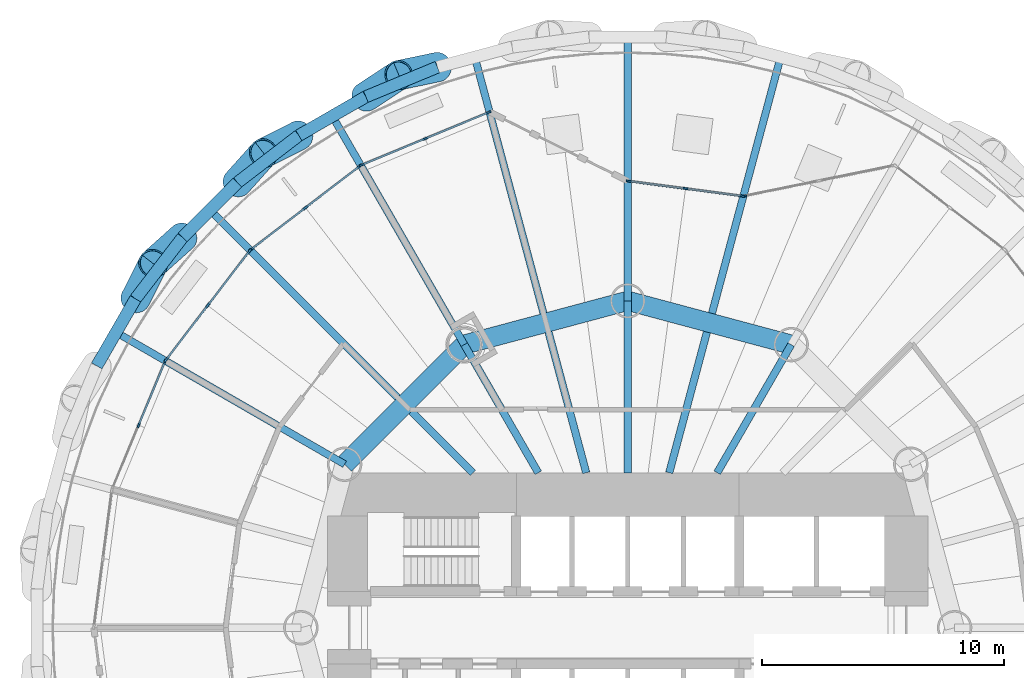
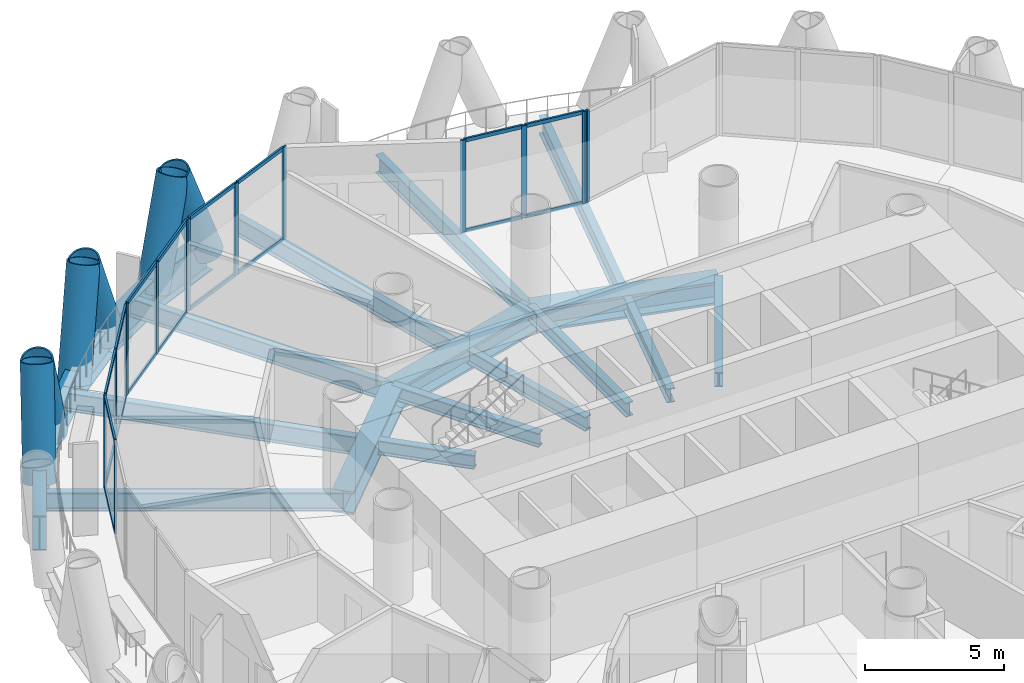
# One storey, part 6 of 16: 39 members, 21 beams, 6 elements without a shape of their own.
"""IFC4 building model written with IfcOpenShell, lengths in metres."""

from ifc_helpers import new_model, si_unit, direction, frame, origin, origin_2d, place, context, subcontext, project, spatial, rectangle, hollow_circle, i_section, extrude, material, material_profile, profile_set, type_object, element, aggregate, save


model = new_model("IFC4")

# Units and contexts
model_context = context("Model", 3, precision=1e-05, world=origin(), true_north=direction((0.0, 1.0)))
body_context = subcontext(model_context, "Body", "Model", "MODEL_VIEW")
ifc_project = project(units=[si_unit("LENGTHUNIT", "METRE"), si_unit("AREAUNIT", "SQUARE_METRE"), si_unit("VOLUMEUNIT", "CUBIC_METRE"), si_unit("PLANEANGLEUNIT", "RADIAN"), si_unit("MASSUNIT", "GRAM", prefix="KILO")], contexts=[model_context])

# Site, building, storey
site_placement = place(None, origin())
site = spatial("IfcSite", under=ifc_project, at=site_placement, CompositionType="ELEMENT")
building_placement = place(site_placement, origin())
building = spatial("IfcBuilding", under=site, at=building_placement, Name="Qaws Media Tower", CompositionType="ELEMENT")
storey_placement = place(building_placement, frame((0.0, 0.0, 47.0)))
storey = spatial("IfcBuildingStorey", under=building, at=storey_placement, Name="L09", CompositionType="ELEMENT", Elevation=47.0)

# Curtain wall, member
ifc_material_1 = material(Name="Aluminium and clear glass", Category="aluminium")
curtain_wall_type_1 = type_object("IfcCurtainWallType", Name="Loggia curtain wall CW-G", PredefinedType="NOTDEFINED", material=ifc_material_1)
curtain_wall_1_placement = place(storey_placement, origin())
curtain_wall_1 = element("IfcCurtainWall", 1, at=curtain_wall_1_placement, inside=storey, type_object=curtain_wall_type_1, Name="CWG curtain wall L09-05", PredefinedType="NOTDEFINED")
ifc_material_2 = material(Name="Aluminium mullion", Category="aluminium")
ifc_material_profile_1 = material_profile(ifc_material_2, rectangle(XDim=0.080078125, YDim=0.199951171875, at=origin_2d()), Name="80x200")
ifc_profile_set_1 = profile_set([ifc_material_profile_1], Name="Aluminium mullion")
member_type_1 = type_object("IfcMemberType", Name="Curtain wall mullion 80x200", PredefinedType="MULLION", material=ifc_profile_set_1)
member_1_placement = place(storey_placement, frame((64.814453125, 67.829345703125, 0.0), z_axis=(0.0, 0.0, 1.0), x_axis=(0.19981881012, -0.979832864892, 0.0)))
member_1 = element("IfcMember", 2, at=member_1_placement, type_object=member_type_1, Name="CWG mullion 3", PredefinedType="MULLION", context=body_context, shape_type="SweptSolid", body=[
    extrude(rectangle(XDim=0.080078125, YDim=0.199951171875, at=origin_2d()), origin(), (0.0, 0.0, 1.0), 4.0400390625),
])
aggregate(curtain_wall_1, [member_1])

# Curtain wall, members
curtain_wall_2_placement = place(storey_placement, origin())
curtain_wall_2 = element("IfcCurtainWall", 3, at=curtain_wall_2_placement, inside=storey, type_object=curtain_wall_type_1, Name="CWG curtain wall L09-06", PredefinedType="NOTDEFINED")
member_2_placement = place(storey_placement, frame((64.735595703125, 67.82666015625, 0.0), z_axis=(0.0, 0.0, 1.0), x_axis=(-0.130526303519, -0.991444846721, 0.0)))
member_2 = element("IfcMember", 4, at=member_2_placement, type_object=member_type_1, Name="CWG mullion 1", PredefinedType="MULLION", context=body_context, shape_type="SweptSolid", body=[
    extrude(rectangle(XDim=0.080078125, YDim=0.199951171875, at=origin_2d()), origin(), (0.0, 0.0, 1.0), 4.0400390625),
])
member_3_placement = place(storey_placement, frame((62.3876953125, 68.1357421875, 0.0), z_axis=(0.0, 0.0, 1.0), x_axis=(-0.130526303519, -0.991444846721, 0.0)))
member_3 = element("IfcMember", 5, at=member_3_placement, type_object=member_type_1, Name="CWG mullion 2", PredefinedType="MULLION", context=body_context, shape_type="SweptSolid", body=[
    extrude(rectangle(XDim=0.080078125, YDim=0.199951171875, at=origin_2d()), origin(), (0.0, 0.0, 1.0), 4.0400390625),
])
member_4_placement = place(storey_placement, frame((60.03955078125, 68.44482421875, 0.0), z_axis=(0.0, 0.0, 1.0), x_axis=(-0.130526303519, -0.991444846721, 0.0)))
member_4 = element("IfcMember", 6, at=member_4_placement, type_object=member_type_1, Name="CWG mullion 3", PredefinedType="MULLION", context=body_context, shape_type="SweptSolid", body=[
    extrude(rectangle(XDim=0.080078125, YDim=0.199951171875, at=origin_2d()), origin(), (0.0, 0.0, 1.0), 4.0400390625),
])

ifc_material_3 = material(Name="Aluminium and clear glass", Category="aluminium")
curtain_wall_type_2 = type_object("IfcCurtainWallType", Name="Unitised curtain wall CW-A", PredefinedType="NOTDEFINED", material=ifc_material_3)
curtain_wall_3_placement = place(storey_placement, origin())
curtain_wall_3 = element("IfcCurtainWall", 7, at=curtain_wall_3_placement, inside=storey, type_object=curtain_wall_type_2, Name="CWA curtain wall L09-08", PredefinedType="NOTDEFINED")
member_5_placement = place(storey_placement, frame((54.256103515625, 71.283447265625, 0.0), z_axis=(0.0, 0.0, 1.0), x_axis=(0.382683388877, -0.923879550525, 0.0)))
member_5 = element("IfcMember", 8, at=member_5_placement, type_object=member_type_1, Name="CWA mullion 1", PredefinedType="MULLION", context=body_context, shape_type="SweptSolid", body=[
    extrude(rectangle(XDim=0.080078125, YDim=0.199951171875, at=origin_2d()), origin(), (0.0, 0.0, 1.0), 4.0400390625),
])
member_6_placement = place(storey_placement, frame((51.634033203125, 70.197265625, 0.0), z_axis=(0.0, 0.0, 1.0), x_axis=(0.382683388877, -0.923879550525, 0.0)))
member_6 = element("IfcMember", 9, at=member_6_placement, type_object=member_type_1, Name="CWA mullion 2", PredefinedType="MULLION", context=body_context, shape_type="SweptSolid", body=[
    extrude(rectangle(XDim=0.080078125, YDim=0.199951171875, at=origin_2d()), origin(), (0.0, 0.0, 1.0), 4.0400390625),
])
member_7_placement = place(storey_placement, frame((49.011962890625, 69.111083984375, 0.0), z_axis=(0.0, 0.0, 1.0), x_axis=(0.382683388877, -0.923879550525, 0.0)))
member_7 = element("IfcMember", 10, at=member_7_placement, type_object=member_type_1, Name="CWA mullion 3", PredefinedType="MULLION", context=body_context, shape_type="SweptSolid", body=[
    extrude(rectangle(XDim=0.080078125, YDim=0.199951171875, at=origin_2d()), origin(), (0.0, 0.0, 1.0), 4.0400390625),
])

curtain_wall_4_placement = place(storey_placement, origin())
curtain_wall_4 = element("IfcCurtainWall", 11, at=curtain_wall_4_placement, inside=storey, type_object=curtain_wall_type_2, Name="CWA curtain wall L09-09", PredefinedType="NOTDEFINED")
member_8_placement = place(storey_placement, frame((48.943359375, 69.071533203125, 0.0), z_axis=(0.0, 0.0, 1.0), x_axis=(0.608761320465, -0.79335342358, 0.0)))
member_8 = element("IfcMember", 12, at=member_8_placement, type_object=member_type_1, Name="CWA mullion 1", PredefinedType="MULLION", context=body_context, shape_type="SweptSolid", body=[
    extrude(rectangle(XDim=0.080078125, YDim=0.199951171875, at=origin_2d()), origin(), (0.0, 0.0, 1.0), 4.0400390625),
])
member_9_placement = place(storey_placement, frame((46.691650390625, 67.34375, 0.0), z_axis=(0.0, 0.0, 1.0), x_axis=(0.608761320465, -0.79335342358, 0.0)))
member_9 = element("IfcMember", 13, at=member_9_placement, type_object=member_type_1, Name="CWA mullion 2", PredefinedType="MULLION", context=body_context, shape_type="SweptSolid", body=[
    extrude(rectangle(XDim=0.080078125, YDim=0.199951171875, at=origin_2d()), origin(), (0.0, 0.0, 1.0), 4.0400390625),
])
member_10_placement = place(storey_placement, frame((44.43994140625, 65.615966796875, 0.0), z_axis=(0.0, 0.0, 1.0), x_axis=(0.608761320465, -0.79335342358, 0.0)))
member_10 = element("IfcMember", 14, at=member_10_placement, type_object=member_type_1, Name="CWA mullion 3", PredefinedType="MULLION", context=body_context, shape_type="SweptSolid", body=[
    extrude(rectangle(XDim=0.080078125, YDim=0.199951171875, at=origin_2d()), origin(), (0.0, 0.0, 1.0), 4.0400390625),
])

curtain_wall_5_placement = place(storey_placement, origin())
curtain_wall_5 = element("IfcCurtainWall", 15, at=curtain_wall_5_placement, inside=storey, type_object=curtain_wall_type_2, Name="CWA curtain wall L09-10", PredefinedType="NOTDEFINED")
member_11_placement = place(storey_placement, frame((44.384033203125, 65.56005859375, 0.0), z_axis=(0.0, 0.0, 1.0), x_axis=(0.79335342358, -0.608761320465, 0.0)))
member_11 = element("IfcMember", 16, at=member_11_placement, type_object=member_type_1, Name="CWA mullion 1", PredefinedType="MULLION", context=body_context, shape_type="SweptSolid", body=[
    extrude(rectangle(XDim=0.080078125, YDim=0.199951171875, at=origin_2d()), origin(), (0.0, 0.0, 1.0), 4.0400390625),
])
member_12_placement = place(storey_placement, frame((42.65625, 63.308349609375, 0.0), z_axis=(0.0, 0.0, 1.0), x_axis=(0.79335342358, -0.608761320465, 0.0)))
member_12 = element("IfcMember", 17, at=member_12_placement, type_object=member_type_1, Name="CWA mullion 2", PredefinedType="MULLION", context=body_context, shape_type="SweptSolid", body=[
    extrude(rectangle(XDim=0.080078125, YDim=0.199951171875, at=origin_2d()), origin(), (0.0, 0.0, 1.0), 4.0400390625),
])
member_13_placement = place(storey_placement, frame((40.928466796875, 61.056640625, 0.0), z_axis=(0.0, 0.0, 1.0), x_axis=(0.79335342358, -0.608761320465, 0.0)))
member_13 = element("IfcMember", 18, at=member_13_placement, type_object=member_type_1, Name="CWA mullion 3", PredefinedType="MULLION", context=body_context, shape_type="SweptSolid", body=[
    extrude(rectangle(XDim=0.080078125, YDim=0.199951171875, at=origin_2d()), origin(), (0.0, 0.0, 1.0), 4.0400390625),
])

curtain_wall_6_placement = place(storey_placement, origin())
curtain_wall_6 = element("IfcCurtainWall", 19, at=curtain_wall_6_placement, inside=storey, type_object=curtain_wall_type_2, Name="CWA curtain wall L09-11", PredefinedType="NOTDEFINED")
member_14_placement = place(storey_placement, frame((40.888916015625, 60.988037109375, 0.0), z_axis=(0.0, 0.0, 1.0), x_axis=(0.923879550525, -0.382683388877, 0.0)))
member_14 = element("IfcMember", 20, at=member_14_placement, type_object=member_type_1, Name="CWA mullion 1", PredefinedType="MULLION", context=body_context, shape_type="SweptSolid", body=[
    extrude(rectangle(XDim=0.080078125, YDim=0.199951171875, at=origin_2d()), origin(), (0.0, 0.0, 1.0), 4.0400390625),
])
member_15_placement = place(storey_placement, frame((39.802734375, 58.365966796875, 0.0), z_axis=(0.0, 0.0, 1.0), x_axis=(0.923879550525, -0.382683388877, 0.0)))
member_15 = element("IfcMember", 21, at=member_15_placement, type_object=member_type_1, Name="CWA mullion 2", PredefinedType="MULLION", context=body_context, shape_type="SweptSolid", body=[
    extrude(rectangle(XDim=0.080078125, YDim=0.199951171875, at=origin_2d()), origin(), (0.0, 0.0, 1.0), 4.0400390625),
])

# Member
ifc_material_4 = material(Name="Aluminium transom", Category="aluminium")
ifc_material_profile_2 = material_profile(ifc_material_4, rectangle(XDim=0.080078125, YDim=0.159912109375, at=origin_2d()), Name="80x160")
ifc_profile_set_2 = profile_set([ifc_material_profile_2], Name="Aluminium transom")
member_type_2 = type_object("IfcMemberType", Name="Curtain wall transom 80x160", PredefinedType="USERDEFINED", material=ifc_profile_set_2)
member_16_placement = place(storey_placement, frame((64.69580078125, 67.831787109375, 0.0400390625), z_axis=(-0.991449210415, 0.130493153717, 0.0), x_axis=(-0.130493153717, -0.991449210415, 0.0)))
member_16 = element("IfcMember", 22, at=member_16_placement, type_object=member_type_2, Name="CWG transom 1.1", ObjectType="TRANSOM", PredefinedType="USERDEFINED", context=body_context, shape_type="SweptSolid", body=[
    extrude(rectangle(XDim=0.080078125, YDim=0.159912109375, at=origin_2d()), origin(), (0.0, 0.0, 1.0), 2.2880859375),
])

member_17_placement = place(storey_placement, frame((64.69580078125, 67.831787109375, 4.0), z_axis=(-0.991449210415, 0.130493153717, 0.0), x_axis=(-0.130493153717, -0.991449210415, 0.0)))
member_17 = element("IfcMember", 23, at=member_17_placement, type_object=member_type_2, Name="CWG transom 1.2", ObjectType="TRANSOM", PredefinedType="USERDEFINED", context=body_context, shape_type="SweptSolid", body=[
    extrude(rectangle(XDim=0.080078125, YDim=0.159912109375, at=origin_2d()), origin(), (0.0, 0.0, 1.0), 2.2880859375),
])

member_18_placement = place(storey_placement, frame((62.347900390625, 68.140869140625, 0.0400390625), z_axis=(-0.991449210415, 0.130493153717, 0.0), x_axis=(-0.130493153717, -0.991449210415, 0.0)))
member_18 = element("IfcMember", 24, at=member_18_placement, type_object=member_type_2, Name="CWG transom 2.1", ObjectType="TRANSOM", PredefinedType="USERDEFINED", context=body_context, shape_type="SweptSolid", body=[
    extrude(rectangle(XDim=0.080078125, YDim=0.159912109375, at=origin_2d()), origin(), (0.0, 0.0, 1.0), 2.2880859375),
])

member_19_placement = place(storey_placement, frame((62.347900390625, 68.140869140625, 4.0), z_axis=(-0.991449210415, 0.130493153717, 0.0), x_axis=(-0.130493153717, -0.991449210415, 0.0)))
member_19 = element("IfcMember", 25, at=member_19_placement, type_object=member_type_2, Name="CWG transom 2.2", ObjectType="TRANSOM", PredefinedType="USERDEFINED", context=body_context, shape_type="SweptSolid", body=[
    extrude(rectangle(XDim=0.080078125, YDim=0.159912109375, at=origin_2d()), origin(), (0.0, 0.0, 1.0), 2.2880859375),
])

aggregate(curtain_wall_2, [member_2, member_3, member_4, member_16, member_17, member_18, member_19])

member_20_placement = place(storey_placement, frame((54.21923828125, 71.26806640625, 0.0400390625), z_axis=(-0.923897092616, -0.382641035771, 0.0), x_axis=(0.382641035771, -0.923897092616, 0.0)))
member_20 = element("IfcMember", 26, at=member_20_placement, type_object=member_type_2, Name="CWA transom 1.1", ObjectType="TRANSOM", PredefinedType="USERDEFINED", context=body_context, shape_type="SweptSolid", body=[
    extrude(rectangle(XDim=0.080078125, YDim=0.159912109375, at=origin_2d()), origin(), (0.0, 0.0, 1.0), 2.75830078125),
])

member_21_placement = place(storey_placement, frame((54.21923828125, 71.26806640625, 4.0), z_axis=(-0.923897092616, -0.382641035771, 0.0), x_axis=(0.382641035771, -0.923897092616, 0.0)))
member_21 = element("IfcMember", 27, at=member_21_placement, type_object=member_type_2, Name="CWA transom 1.2", ObjectType="TRANSOM", PredefinedType="USERDEFINED", context=body_context, shape_type="SweptSolid", body=[
    extrude(rectangle(XDim=0.080078125, YDim=0.159912109375, at=origin_2d()), origin(), (0.0, 0.0, 1.0), 2.75830078125),
])

member_22_placement = place(storey_placement, frame((51.59716796875, 70.181884765625, 0.0400390625), z_axis=(-0.923897092616, -0.382641035771, 0.0), x_axis=(0.382641035771, -0.923897092616, 0.0)))
member_22 = element("IfcMember", 28, at=member_22_placement, type_object=member_type_2, Name="CWA transom 2.1", ObjectType="TRANSOM", PredefinedType="USERDEFINED", context=body_context, shape_type="SweptSolid", body=[
    extrude(rectangle(XDim=0.080078125, YDim=0.159912109375, at=origin_2d()), origin(), (0.0, 0.0, 1.0), 2.75830078125),
])

member_23_placement = place(storey_placement, frame((51.59716796875, 70.181884765625, 4.0), z_axis=(-0.923897092616, -0.382641035771, 0.0), x_axis=(0.382641035771, -0.923897092616, 0.0)))
member_23 = element("IfcMember", 29, at=member_23_placement, type_object=member_type_2, Name="CWA transom 2.2", ObjectType="TRANSOM", PredefinedType="USERDEFINED", context=body_context, shape_type="SweptSolid", body=[
    extrude(rectangle(XDim=0.080078125, YDim=0.159912109375, at=origin_2d()), origin(), (0.0, 0.0, 1.0), 2.75830078125),
])

aggregate(curtain_wall_3, [member_5, member_6, member_7, member_20, member_21, member_22, member_23])

member_24_placement = place(storey_placement, frame((48.91162109375, 69.047119140625, 0.0400390625), z_axis=(-0.793376929066, -0.608730686286, 0.0), x_axis=(0.608730686286, -0.793376929066, 0.0)))
member_24 = element("IfcMember", 30, at=member_24_placement, type_object=member_type_2, Name="CWA transom 1.1", ObjectType="TRANSOM", PredefinedType="USERDEFINED", context=body_context, shape_type="SweptSolid", body=[
    extrude(rectangle(XDim=0.080078125, YDim=0.159912109375, at=origin_2d()), origin(), (0.0, 0.0, 1.0), 2.758056640625),
])

member_25_placement = place(storey_placement, frame((48.91162109375, 69.047119140625, 4.0), z_axis=(-0.793376929066, -0.608730686286, 0.0), x_axis=(0.608730686286, -0.793376929066, 0.0)))
member_25 = element("IfcMember", 31, at=member_25_placement, type_object=member_type_2, Name="CWA transom 1.2", ObjectType="TRANSOM", PredefinedType="USERDEFINED", context=body_context, shape_type="SweptSolid", body=[
    extrude(rectangle(XDim=0.080078125, YDim=0.159912109375, at=origin_2d()), origin(), (0.0, 0.0, 1.0), 2.758056640625),
])

member_26_placement = place(storey_placement, frame((46.659912109375, 67.3193359375, 0.0400390625), z_axis=(-0.793376929066, -0.608730686286, 0.0), x_axis=(0.608730686286, -0.793376929066, 0.0)))
member_26 = element("IfcMember", 32, at=member_26_placement, type_object=member_type_2, Name="CWA transom 2.1", ObjectType="TRANSOM", PredefinedType="USERDEFINED", context=body_context, shape_type="SweptSolid", body=[
    extrude(rectangle(XDim=0.080078125, YDim=0.159912109375, at=origin_2d()), origin(), (0.0, 0.0, 1.0), 2.758056640625),
])

member_27_placement = place(storey_placement, frame((46.659912109375, 67.3193359375, 4.0), z_axis=(-0.793376929066, -0.608730686286, 0.0), x_axis=(0.608730686286, -0.793376929066, 0.0)))
member_27 = element("IfcMember", 33, at=member_27_placement, type_object=member_type_2, Name="CWA transom 2.2", ObjectType="TRANSOM", PredefinedType="USERDEFINED", context=body_context, shape_type="SweptSolid", body=[
    extrude(rectangle(XDim=0.080078125, YDim=0.159912109375, at=origin_2d()), origin(), (0.0, 0.0, 1.0), 2.758056640625),
])

aggregate(curtain_wall_4, [member_8, member_9, member_10, member_24, member_25, member_26, member_27])

member_28_placement = place(storey_placement, frame((44.359619140625, 65.5283203125, 0.0400390625), z_axis=(-0.608730686286, -0.793376929066, 0.0), x_axis=(0.793376929066, -0.608730686286, 0.0)))
member_28 = element("IfcMember", 34, at=member_28_placement, type_object=member_type_2, Name="CWA transom 1.1", ObjectType="TRANSOM", PredefinedType="USERDEFINED", context=body_context, shape_type="SweptSolid", body=[
    extrude(rectangle(XDim=0.080078125, YDim=0.159912109375, at=origin_2d()), origin(), (0.0, 0.0, 1.0), 2.758056640625),
])

member_29_placement = place(storey_placement, frame((44.359619140625, 65.5283203125, 4.0), z_axis=(-0.608730686286, -0.793376929066, 0.0), x_axis=(0.793376929066, -0.608730686286, 0.0)))
member_29 = element("IfcMember", 35, at=member_29_placement, type_object=member_type_2, Name="CWA transom 1.2", ObjectType="TRANSOM", PredefinedType="USERDEFINED", context=body_context, shape_type="SweptSolid", body=[
    extrude(rectangle(XDim=0.080078125, YDim=0.159912109375, at=origin_2d()), origin(), (0.0, 0.0, 1.0), 2.758056640625),
])

member_30_placement = place(storey_placement, frame((42.6318359375, 63.276611328125, 0.0400390625), z_axis=(-0.608730686286, -0.793376929066, 0.0), x_axis=(0.793376929066, -0.608730686286, 0.0)))
member_30 = element("IfcMember", 36, at=member_30_placement, type_object=member_type_2, Name="CWA transom 2.1", ObjectType="TRANSOM", PredefinedType="USERDEFINED", context=body_context, shape_type="SweptSolid", body=[
    extrude(rectangle(XDim=0.080078125, YDim=0.159912109375, at=origin_2d()), origin(), (0.0, 0.0, 1.0), 2.758056640625),
])

member_31_placement = place(storey_placement, frame((42.6318359375, 63.276611328125, 4.0), z_axis=(-0.608730686286, -0.793376929066, 0.0), x_axis=(0.793376929066, -0.608730686286, 0.0)))
member_31 = element("IfcMember", 37, at=member_31_placement, type_object=member_type_2, Name="CWA transom 2.2", ObjectType="TRANSOM", PredefinedType="USERDEFINED", context=body_context, shape_type="SweptSolid", body=[
    extrude(rectangle(XDim=0.080078125, YDim=0.159912109375, at=origin_2d()), origin(), (0.0, 0.0, 1.0), 2.758056640625),
])

aggregate(curtain_wall_5, [member_11, member_12, member_13, member_28, member_29, member_30, member_31])

member_32_placement = place(storey_placement, frame((40.87353515625, 60.951171875, 0.0400390625), z_axis=(-0.382641035771, -0.923897092616, 0.0), x_axis=(0.923897092616, -0.382641035771, 0.0)))
member_32 = element("IfcMember", 38, at=member_32_placement, type_object=member_type_2, Name="CWA transom 1.1", ObjectType="TRANSOM", PredefinedType="USERDEFINED", context=body_context, shape_type="SweptSolid", body=[
    extrude(rectangle(XDim=0.080078125, YDim=0.159912109375, at=origin_2d()), origin(), (0.0, 0.0, 1.0), 2.75830078125),
])

member_33_placement = place(storey_placement, frame((40.87353515625, 60.951171875, 4.0), z_axis=(-0.382641035771, -0.923897092616, 0.0), x_axis=(0.923897092616, -0.382641035771, 0.0)))
member_33 = element("IfcMember", 39, at=member_33_placement, type_object=member_type_2, Name="CWA transom 1.2", ObjectType="TRANSOM", PredefinedType="USERDEFINED", context=body_context, shape_type="SweptSolid", body=[
    extrude(rectangle(XDim=0.080078125, YDim=0.159912109375, at=origin_2d()), origin(), (0.0, 0.0, 1.0), 2.75830078125),
])

aggregate(curtain_wall_6, [member_14, member_15, member_32, member_33])

# Members
ifc_material_5 = material(Name="Steel S460", Category="steel")
ifc_material_profile_3 = material_profile(ifc_material_5, hollow_circle(Radius=0.609619140625, WallThickness=0.06005859375, at=origin_2d()), Name="CHS 1219x60")
ifc_profile_set_3 = profile_set([ifc_material_profile_3], Name="Steel S460")
member_type_3 = type_object("IfcMemberType", Name="Diagrid member CHS 1219x60", PredefinedType="USERDEFINED", material=ifc_profile_set_3)
member_34_placement = place(storey_placement, frame((52.140869140625, 73.15234375, -0.909912109375), z_axis=(-0.353720827329, -0.073822826666, 0.932433250467), x_axis=(0.204301665065, -0.978907978133, 0.0)))
element("IfcMember", 40, at=member_34_placement, inside=storey, type_object=member_type_3, Name="DG1 diagrid L09 A08", ObjectType="DIAGRID", PredefinedType="USERDEFINED", context=body_context, shape_type="SweptSolid", body=[
    extrude(hollow_circle(Radius=0.609619140625, WallThickness=0.06005859375, at=origin_2d()), origin(), (0.0, 0.0, 1.0), 4.50439453125),
])
for number, where, z_axis, x_axis, name in (
    (41, (46.416259765625, 70.329345703125, -0.909912109375), (-0.322508751373, -0.16282626708, 0.932456815105), (0.450690911272, -0.892680067267, 0.0), "DG1 diagrid L09 A09"),
    (42, (49.18603515625, 71.928466796875, -0.909912109375), (0.3022882165, 0.197893899666, 0.932448303468), (-0.547722187695, 0.836660268632, 0.0), "DG1 diagrid L09 B09"),
):
    element("IfcMember", number, at=place(storey_placement, frame(where, z_axis=z_axis, x_axis=x_axis)), inside=storey, type_object=member_type_3, Name=name, ObjectType="DIAGRID", PredefinedType="USERDEFINED", context=body_context, shape_type="SweptSolid", body=[
        extrude(hollow_circle(Radius=0.609619140625, WallThickness=0.06005859375, at=origin_2d()), origin(), (0.0, 0.0, 1.0), 4.504150390625),
    ])
for number, where, z_axis, x_axis, name in (
    (43, (41.617431640625, 66.12109375, -0.909912109375), (-0.269383872368, -0.240819425539, 0.9324367719), (0.666474709175, -0.745527640018, 0.0), "DG1 diagrid L09 A10"),
    (44, (43.87890625, 68.382568359375, -0.909912109375), (0.240819425539, 0.269383872368, 0.9324367719), (-0.745527640018, 0.666474709175, 0.0), "DG1 diagrid L09 B10"),
):
    element("IfcMember", number, at=place(storey_placement, frame(where, z_axis=z_axis, x_axis=x_axis)), inside=storey, type_object=member_type_3, Name=name, ObjectType="DIAGRID", PredefinedType="USERDEFINED", context=body_context, shape_type="SweptSolid", body=[
        extrude(hollow_circle(Radius=0.609619140625, WallThickness=0.06005859375, at=origin_2d()), origin(), (0.0, 0.0, 1.0), 4.50439453125),
    ])
member_35_placement = place(storey_placement, frame((39.670654296875, 63.583740234375, -0.909912109375), z_axis=(0.16282626708, 0.322508751373, 0.932456815105), x_axis=(-0.892680067267, 0.450690911272, 0.0)))
element("IfcMember", 45, at=member_35_placement, inside=storey, type_object=member_type_3, Name="DG1 diagrid L09 B11", ObjectType="DIAGRID", PredefinedType="USERDEFINED", context=body_context, shape_type="SweptSolid", body=[
    extrude(hollow_circle(Radius=0.609619140625, WallThickness=0.06005859375, at=origin_2d()), origin(), (0.0, 0.0, 1.0), 4.504150390625),
])

# Beams
ifc_material_6 = material(Name="Steel S460", Category="steel")
ifc_material_profile_4 = material_profile(ifc_material_6, i_section(OverallWidth=0.5, OverallDepth=1.5, WebThickness=0.02001953125, FlangeThickness=0.0400390625, at=origin_2d()), Name="PG 1500x500")
ifc_profile_set_4 = profile_set([ifc_material_profile_4], Name="Steel S460")
beam_type_1 = type_object("IfcBeamType", Name="Edge ring beam PG 1500x500", PredefinedType="BEAM", material=ifc_profile_set_4)
for number, where, z_axis, x_axis, name in (
    (46, (52.140869140625, 73.15234375, -0.909912109375), (-0.923885651932, -0.382668658443, 0.0), (0.382668658443, -0.923885651932, 0.0), "RB4 edge ring beam L09-15"),
    (47, (49.18603515625, 71.928466796875, -0.909912109375), (-0.866026686418, -0.499997778408, 0.0), (0.499997778408, -0.866026686418, 0.0), "RB4 edge ring beam L09-16"),
    (48, (46.416259765625, 70.329345703125, -0.909912109375), (-0.793383917565, -0.608721577857, 0.0), (0.608721577857, -0.793383917565, 0.0), "RB4 edge ring beam L09-17"),
    (49, (43.87890625, 68.382568359375, -0.909912109375), (-0.707106781187, -0.707106781187, 0.0), (0.707106781187, -0.707106781187, 0.0), "RB4 edge ring beam L09-18"),
    (50, (41.617431640625, 66.12109375, -0.909912109375), (-0.608721577857, -0.793383917565, 0.0), (0.793383917565, -0.608721577857, 0.0), "RB4 edge ring beam L09-19"),
    (51, (39.670654296875, 63.583740234375, -0.909912109375), (-0.499997778408, -0.866026686418, 0.0), (0.866026686418, -0.499997778408, 0.0), "RB4 edge ring beam L09-20"),
):
    element("IfcBeam", number, at=place(storey_placement, frame(where, z_axis=z_axis, x_axis=x_axis)), inside=storey, type_object=beam_type_1, Name=name, PredefinedType="BEAM", context=body_context, shape_type="SweptSolid", body=[
        extrude(i_section(OverallWidth=0.5, OverallDepth=1.5, WebThickness=0.02001953125, FlangeThickness=0.0400390625, at=origin_2d()), origin(), (0.0, 0.0, 1.0), 3.1982421875),
    ])
ifc_material_7 = material(Name="Steel S460", Category="steel")
ifc_material_profile_5 = material_profile(ifc_material_7, i_section(OverallWidth=0.800048828125, OverallDepth=1.0, WebThickness=0.0400390625, FlangeThickness=0.10009765625, at=origin_2d()), Name="PG 1000x800")
ifc_profile_set_5 = profile_set([ifc_material_profile_5], Name="Steel S460")
beam_type_2 = type_object("IfcBeamType", Name="Inner ring girder PG 1000x800", PredefinedType="BEAM", material=ifc_profile_set_5)
for number, where, z_axis, x_axis, name in (
    (52, (66.75, 61.69140625, -0.659912109375), (-0.965928090778, 0.258810593767, 0.0), (-0.258810593767, -0.965928090778, 0.0), "B3 inner ring beam L09 I03-I04"),
    (53, (60.0, 63.5, -0.659912109375), (-0.965928090778, -0.258810593767, 0.0), (0.258810593767, -0.965928090778, 0.0), "B3 inner ring beam L09 I04-I05"),
):
    element("IfcBeam", number, at=place(storey_placement, frame(where, z_axis=z_axis, x_axis=x_axis)), inside=storey, type_object=beam_type_2, Name=name, PredefinedType="BEAM", context=body_context, shape_type="SweptSolid", body=[
        extrude(i_section(OverallWidth=0.800048828125, OverallDepth=1.0, WebThickness=0.0400390625, FlangeThickness=0.10009765625, at=origin_2d()), origin(), (0.0, 0.0, 1.0), 6.988037109375),
    ])
beam_1_placement = place(storey_placement, frame((53.25, 61.69140625, -0.659912109375), z_axis=(-0.707106781187, -0.707106781187, 0.0), x_axis=(0.707106781187, -0.707106781187, 0.0)))
element("IfcBeam", 54, at=beam_1_placement, inside=storey, type_object=beam_type_2, Name="B3 inner ring beam L09 I05-I06", PredefinedType="BEAM", context=body_context, shape_type="SweptSolid", body=[
    extrude(i_section(OverallWidth=0.800048828125, OverallDepth=1.0, WebThickness=0.0400390625, FlangeThickness=0.10009765625, at=origin_2d()), origin(), (0.0, 0.0, 1.0), 6.98828125),
])
ifc_material_8 = material(Name="Steel S355", Category="steel")
ifc_material_profile_6 = material_profile(ifc_material_8, i_section(OverallWidth=0.304931640625, OverallDepth=0.6201171875, WebThickness=0.02099609375, FlangeThickness=0.0400390625, FilletRadius=0.027099609375, at=origin_2d()), Name="HE 600 M")
ifc_profile_set_6 = profile_set([ifc_material_profile_6], Name="Steel S355")
beam_type_3 = type_object("IfcBeamType", Name="Radial beam HE 600 M, core side", PredefinedType="BEAM", material=ifc_profile_set_6)
beam_2_placement = place(storey_placement, frame((63.695068359375, 56.39990234375, -0.469970703125), z_axis=(0.49998532359, 0.866033877048, 0.0), x_axis=(-0.866033877048, 0.49998532359, 0.0)))
element("IfcBeam", 55, at=beam_2_placement, inside=storey, type_object=beam_type_3, Name="B2 radial beam L09 05", PredefinedType="BEAM", context=body_context, shape_type="SweptSolid", body=[
    extrude(i_section(OverallWidth=0.304931640625, OverallDepth=0.6201171875, WebThickness=0.02099609375, FlangeThickness=0.0400390625, FilletRadius=0.027099609375, at=origin_2d()), origin(), (0.0, 0.0, 1.0), 6.110107421875),
])
beam_3_placement = place(storey_placement, frame((61.71484375, 56.39990234375, -0.469970703125), z_axis=(0.258824687089, 0.965924314506, 0.0), x_axis=(-0.965924314506, 0.258824687089, 0.0)))
element("IfcBeam", 56, at=beam_3_placement, inside=storey, type_object=beam_type_3, Name="B2 radial beam L09 06", PredefinedType="BEAM", context=body_context, shape_type="SweptSolid", body=[
    extrude(i_section(OverallWidth=0.304931640625, OverallDepth=0.6201171875, WebThickness=0.02099609375, FlangeThickness=0.0400390625, FilletRadius=0.027099609375, at=origin_2d()), origin(), (0.0, 0.0, 1.0), 6.01416015625),
])
beam_4_placement = place(storey_placement, frame((60.0, 56.39990234375, -0.469970703125), z_axis=(0.0, 1.0, 0.0), x_axis=(-1.0, 0.0, 0.0)))
element("IfcBeam", 57, at=beam_4_placement, inside=storey, type_object=beam_type_3, Name="B2 radial beam L09 07", PredefinedType="BEAM", context=body_context, shape_type="SweptSolid", body=[
    extrude(i_section(OverallWidth=0.304931640625, OverallDepth=0.6201171875, WebThickness=0.02099609375, FlangeThickness=0.0400390625, FilletRadius=0.027099609375, at=origin_2d()), origin(), (0.0, 0.0, 1.0), 7.10009765625),
])
beam_5_placement = place(storey_placement, frame((58.28515625, 56.39990234375, -0.469970703125), z_axis=(-0.258824687089, 0.965924314506, 0.0), x_axis=(-0.965924314506, -0.258824687089, 0.0)))
element("IfcBeam", 58, at=beam_5_placement, inside=storey, type_object=beam_type_3, Name="B2 radial beam L09 08", PredefinedType="BEAM", context=body_context, shape_type="SweptSolid", body=[
    extrude(i_section(OverallWidth=0.304931640625, OverallDepth=0.6201171875, WebThickness=0.02099609375, FlangeThickness=0.0400390625, FilletRadius=0.027099609375, at=origin_2d()), origin(), (0.0, 0.0, 1.0), 6.01416015625),
])
beam_6_placement = place(storey_placement, frame((56.304931640625, 56.39990234375, -0.469970703125), z_axis=(-0.49998532359, 0.866033877048, 0.0), x_axis=(-0.866033877048, -0.49998532359, 0.0)))
element("IfcBeam", 59, at=beam_6_placement, inside=storey, type_object=beam_type_3, Name="B2 radial beam L09 09", PredefinedType="BEAM", context=body_context, shape_type="SweptSolid", body=[
    extrude(i_section(OverallWidth=0.304931640625, OverallDepth=0.6201171875, WebThickness=0.02099609375, FlangeThickness=0.0400390625, FilletRadius=0.027099609375, at=origin_2d()), origin(), (0.0, 0.0, 1.0), 6.110107421875),
])
beam_7_placement = place(storey_placement, frame((53.60009765625, 56.39990234375, -0.469970703125), z_axis=(-0.707106781187, 0.707106781187, 0.0), x_axis=(-0.707106781187, -0.707106781187, 0.0)))
element("IfcBeam", 60, at=beam_7_placement, inside=storey, type_object=beam_type_3, Name="B2 radial beam L09 10", PredefinedType="BEAM", context=body_context, shape_type="SweptSolid", body=[
    extrude(i_section(OverallWidth=0.304931640625, OverallDepth=0.6201171875, WebThickness=0.02099609375, FlangeThickness=0.0400390625, FilletRadius=0.027099609375, at=origin_2d()), origin(), (0.0, 0.0, 1.0), 3.589111328125),
])
ifc_material_9 = material(Name="Steel S355", Category="steel")
ifc_material_profile_7 = material_profile(ifc_material_9, i_section(OverallWidth=0.300048828125, OverallDepth=0.800048828125, WebThickness=0.017578125, FlangeThickness=0.032958984375, FilletRadius=0.030029296875, at=origin_2d()), Name="HE 800 B")
ifc_profile_set_7 = profile_set([ifc_material_profile_7], Name="Steel S355")
beam_type_4 = type_object("IfcBeamType", Name="Radial beam HE 800 B", PredefinedType="BEAM", material=ifc_profile_set_7)
beam_8_placement = place(storey_placement, frame((63.478515625, 62.98193359375, -0.56005859375), z_axis=(0.258825919743, 0.965923984208, 0.0), x_axis=(-0.965923984208, 0.258825919743, 0.0)))
element("IfcBeam", 61, at=beam_8_placement, inside=storey, type_object=beam_type_4, Name="B1 radial beam L09 06", PredefinedType="BEAM", context=body_context, shape_type="SweptSolid", body=[
    extrude(i_section(OverallWidth=0.300048828125, OverallDepth=0.800048828125, WebThickness=0.017578125, FlangeThickness=0.032958984375, FilletRadius=0.030029296875, at=origin_2d()), origin(), (0.0, 0.0, 1.0), 10.957763671875),
])
beam_9_placement = place(storey_placement, frame((60.0, 63.5, -0.56005859375), z_axis=(0.0, 1.0, 0.0), x_axis=(-1.0, 0.0, 0.0)))
element("IfcBeam", 62, at=beam_9_placement, inside=storey, type_object=beam_type_4, Name="B1 radial beam L09 07", PredefinedType="BEAM", context=body_context, shape_type="SweptSolid", body=[
    extrude(i_section(OverallWidth=0.300048828125, OverallDepth=0.800048828125, WebThickness=0.017578125, FlangeThickness=0.032958984375, FilletRadius=0.030029296875, at=origin_2d()), origin(), (0.0, 0.0, 1.0), 10.897705078125),
])
beam_10_placement = place(storey_placement, frame((56.521484375, 62.98193359375, -0.56005859375), z_axis=(-0.258825919743, 0.965923984208, 0.0), x_axis=(-0.965923984208, -0.258825919743, 0.0)))
element("IfcBeam", 63, at=beam_10_placement, inside=storey, type_object=beam_type_4, Name="B1 radial beam L09 08", PredefinedType="BEAM", context=body_context, shape_type="SweptSolid", body=[
    extrude(i_section(OverallWidth=0.300048828125, OverallDepth=0.800048828125, WebThickness=0.017578125, FlangeThickness=0.032958984375, FilletRadius=0.030029296875, at=origin_2d()), origin(), (0.0, 0.0, 1.0), 10.957763671875),
])
beam_11_placement = place(storey_placement, frame((53.25, 61.69140625, -0.56005859375), z_axis=(-0.49999912617, 0.86602590829, 0.0), x_axis=(-0.86602590829, -0.49999912617, 0.0)))
element("IfcBeam", 64, at=beam_11_placement, inside=storey, type_object=beam_type_4, Name="B1 radial beam L09 09", PredefinedType="BEAM", context=body_context, shape_type="SweptSolid", body=[
    extrude(i_section(OverallWidth=0.300048828125, OverallDepth=0.800048828125, WebThickness=0.017578125, FlangeThickness=0.032958984375, FilletRadius=0.030029296875, at=origin_2d()), origin(), (0.0, 0.0, 1.0), 10.8974609375),
])
beam_12_placement = place(storey_placement, frame((50.49658203125, 59.50341796875, -0.56005859375), z_axis=(-0.707106781187, 0.707106781187, 0.0), x_axis=(-0.707106781187, -0.707106781187, 0.0)))
element("IfcBeam", 65, at=beam_12_placement, inside=storey, type_object=beam_type_4, Name="B1 radial beam L09 10", PredefinedType="BEAM", context=body_context, shape_type="SweptSolid", body=[
    extrude(i_section(OverallWidth=0.300048828125, OverallDepth=0.800048828125, WebThickness=0.017578125, FlangeThickness=0.032958984375, FilletRadius=0.030029296875, at=origin_2d()), origin(), (0.0, 0.0, 1.0), 10.957763671875),
])
beam_13_placement = place(storey_placement, frame((48.30859375, 56.75, -0.56005859375), z_axis=(-0.86602590829, 0.49999912617, 0.0), x_axis=(-0.49999912617, -0.86602590829, 0.0)))
element("IfcBeam", 66, at=beam_13_placement, inside=storey, type_object=beam_type_4, Name="B1 radial beam L09 11", PredefinedType="BEAM", context=body_context, shape_type="SweptSolid", body=[
    extrude(i_section(OverallWidth=0.300048828125, OverallDepth=0.800048828125, WebThickness=0.017578125, FlangeThickness=0.032958984375, FilletRadius=0.030029296875, at=origin_2d()), origin(), (0.0, 0.0, 1.0), 10.8974609375),
])

save(model, "model.ifc")
